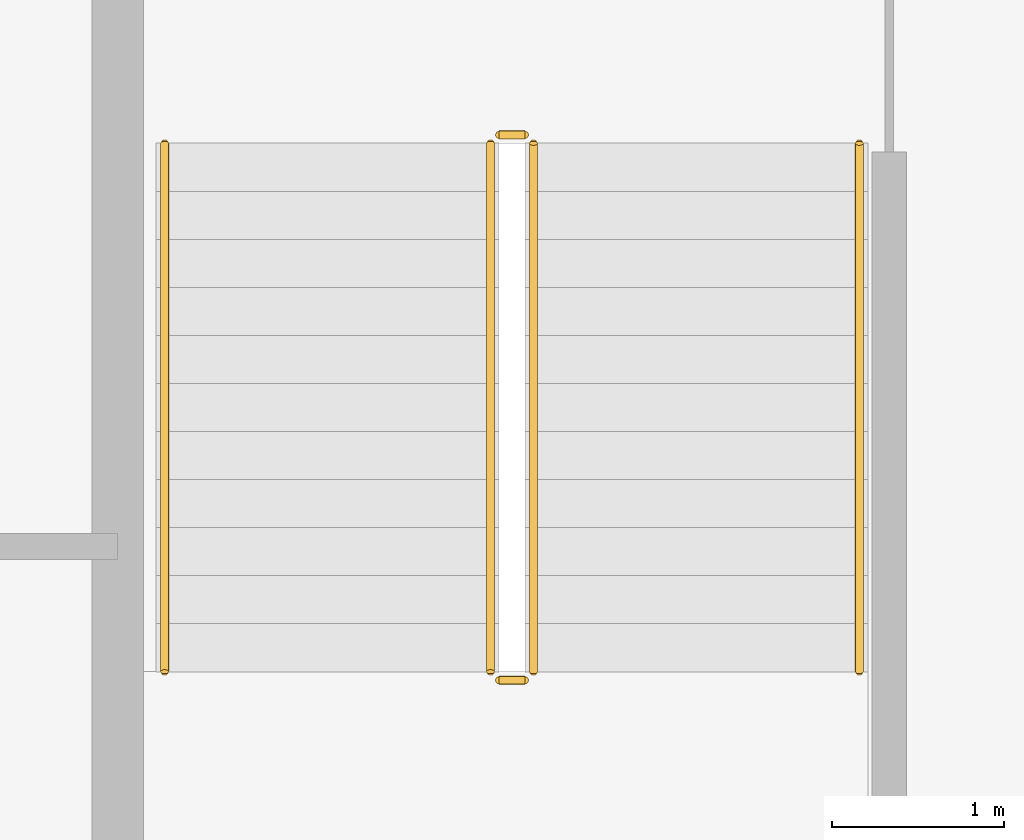
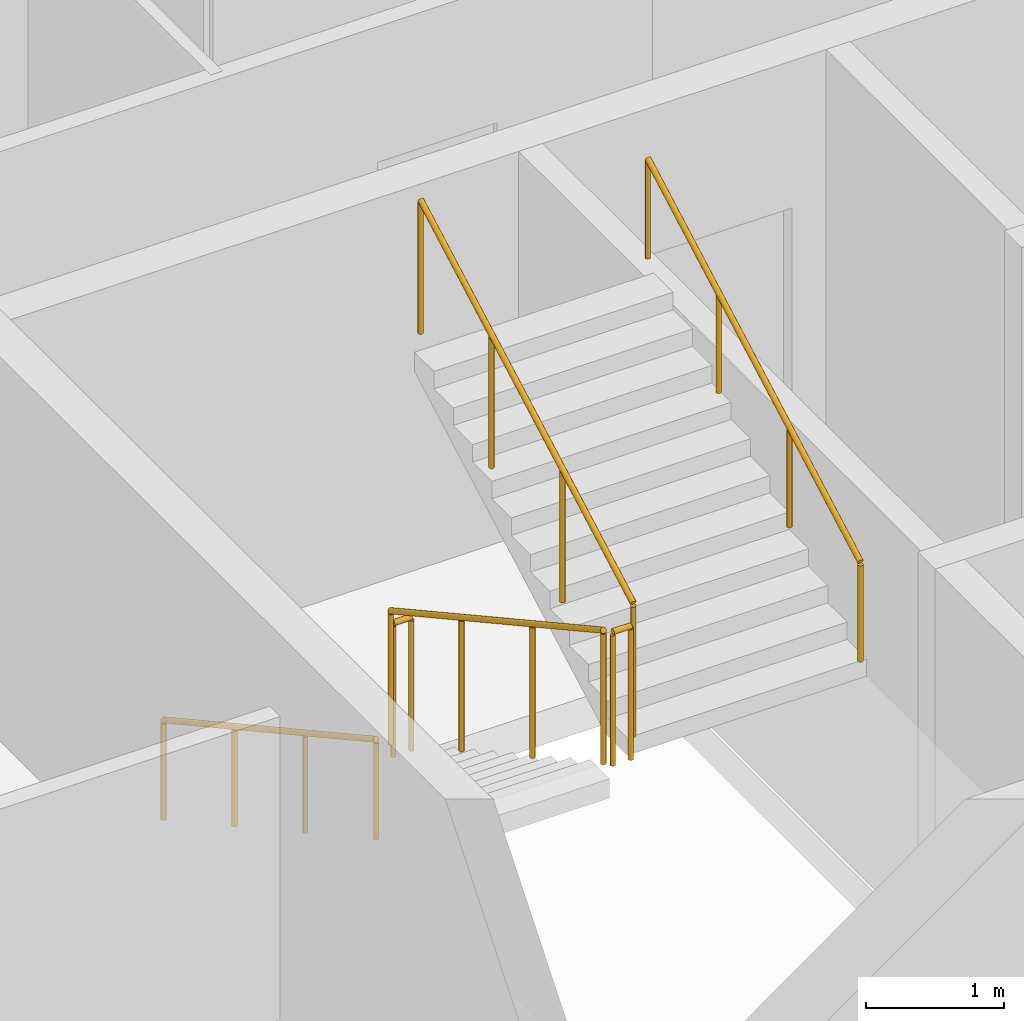
# One storey, part 12 of 14: 6 railings.
"""IFC4 building model written with IfcOpenShell, lengths in metres."""

from ifc_helpers import new_model, si_unit, direction, frame, origin, origin_2d, place, context, subcontext, project, spatial, circle, extrude, material, type_object, element, save


model = new_model("IFC4")

# Units and contexts
model_context = context("Model", 3, precision=1e-05, world=origin(), true_north=direction((0.0, 1.0)))
body_context = subcontext(model_context, "Body", "Model", "MODEL_VIEW")
ifc_project = project(units=[si_unit("LENGTHUNIT", "METRE"), si_unit("AREAUNIT", "SQUARE_METRE"), si_unit("VOLUMEUNIT", "CUBIC_METRE"), si_unit("PLANEANGLEUNIT", "RADIAN"), si_unit("MASSUNIT", "GRAM", prefix="KILO")], contexts=[model_context])

# Site, building, storey
site_placement = place(None, origin())
site = spatial("IfcSite", under=ifc_project, at=site_placement, CompositionType="ELEMENT")
building_placement = place(site_placement, origin())
building = spatial("IfcBuilding", under=site, at=building_placement, Name="Caravel Reach Hotel and Residences", CompositionType="ELEMENT")
storey_placement = place(building_placement, frame((0.0, 0.0, 161.699951171875)))
storey = spatial("IfcBuildingStorey", under=building, at=storey_placement, Name="L40", CompositionType="ELEMENT", Elevation=161.699951171875)

# Railings
ifc_material_1 = material(Name="Steel balustrade with glass infill", Category="steel")
railing_type_1 = type_object("IfcRailingType", Name="Guard 1200", PredefinedType="GUARDRAIL", material=ifc_material_1)
railing_1_placement = place(storey_placement, frame((20.175048828125, 29.35009765625, 0.154296875)))
element("IfcRailing", 1, at=railing_1_placement, inside=storey, type_object=railing_type_1, Name="L40 ST-A stair guard 1", PredefinedType="GUARDRAIL", context=body_context, shape_type="SweptSolid", body=[
    extrude(circle(Radius=0.02392578125, at=origin_2d()), frame((0.0, 0.0, 1.17578125), z_axis=(0.0, -0.876004717809, 0.482302534076), x_axis=(1.0, 0.0, 0.0)), (0.0, 0.0, 1.0), 3.51611328125),
    extrude(circle(Radius=0.02099609375, at=origin_2d()), origin(), (0.0, 0.0, 1.0), 1.15185546875),
    extrude(circle(Radius=0.02099609375, at=origin_2d()), frame((0.0, -1.026611328125, 0.565185546875)), (0.0, 0.0, 1.0), 1.15185546875),
    extrude(circle(Radius=0.02099609375, at=origin_2d()), frame((0.0, -2.053466796875, 1.130615234375)), (0.0, 0.0, 1.0), 1.15185546875),
    extrude(circle(Radius=0.02099609375, at=origin_2d()), frame((0.0, -3.080078125, 1.69580078125)), (0.0, 0.0, 1.0), 1.15185546875),
])
railing_2_placement = place(storey_placement, frame((20.22509765625, 26.219970703125, 1.85009765625)))
element("IfcRailing", 2, at=railing_2_placement, inside=storey, type_object=railing_type_1, Name="L40 ST-A stair guard 2", PredefinedType="GUARDRAIL", context=body_context, shape_type="SweptSolid", body=[
    extrude(circle(Radius=0.02392578125, at=origin_2d()), frame((0.0, 0.0, 1.17578125), z_axis=(1.0, 0.0, 0.0), x_axis=(0.0, 1.0, 0.0)), (0.0, 0.0, 1.0), 0.14990234375),
    extrude(circle(Radius=0.02099609375, at=origin_2d()), origin(), (0.0, 0.0, 1.0), 1.15185546875),
    extrude(circle(Radius=0.02099609375, at=origin_2d()), frame((0.14990234375, 0.0, 0.0)), (0.0, 0.0, 1.0), 1.15185546875),
])
railing_3_placement = place(storey_placement, frame((20.425048828125, 26.27001953125, 2.004150390625)))
element("IfcRailing", 3, at=railing_3_placement, inside=storey, type_object=railing_type_1, Name="L40 ST-A stair guard 3", PredefinedType="GUARDRAIL", context=body_context, shape_type="SweptSolid", body=[
    extrude(circle(Radius=0.02392578125, at=origin_2d()), frame((0.0, 0.0, 1.17578125), z_axis=(0.0, 0.876004717809, 0.482302534076), x_axis=(-1.0, 0.0, 0.0)), (0.0, 0.0, 1.0), 3.51611328125),
    extrude(circle(Radius=0.02099609375, at=origin_2d()), origin(), (0.0, 0.0, 1.0), 1.15185546875),
    extrude(circle(Radius=0.02099609375, at=origin_2d()), frame((0.0, 1.026611328125, 0.565185546875)), (0.0, 0.0, 1.0), 1.15185546875),
    extrude(circle(Radius=0.02099609375, at=origin_2d()), frame((0.0, 2.053466796875, 1.130615234375)), (0.0, 0.0, 1.0), 1.15185546875),
    extrude(circle(Radius=0.02099609375, at=origin_2d()), frame((0.0, 3.080078125, 1.69580078125)), (0.0, 0.0, 1.0), 1.15185546875),
])
railing_4_placement = place(storey_placement, frame((20.22509765625, 29.39990234375, 0.0)))
element("IfcRailing", 4, at=railing_4_placement, inside=storey, type_object=railing_type_1, Name="L40 ST-A stair guard 4", PredefinedType="GUARDRAIL", context=body_context, shape_type="SweptSolid", body=[
    extrude(circle(Radius=0.02392578125, at=origin_2d()), frame((0.0, 0.0, 1.17578125), z_axis=(1.0, 0.0, 0.0), x_axis=(0.0, 1.0, 0.0)), (0.0, 0.0, 1.0), 0.14990234375),
    extrude(circle(Radius=0.02099609375, at=origin_2d()), origin(), (0.0, 0.0, 1.0), 1.15185546875),
    extrude(circle(Radius=0.02099609375, at=origin_2d()), frame((0.14990234375, 0.0, 0.0)), (0.0, 0.0, 1.0), 1.15185546875),
])
ifc_material_2 = material(Name="Stainless steel handrail", Category="steel")
railing_type_2 = type_object("IfcRailingType", Name="Handrail 900", PredefinedType="HANDRAIL", material=ifc_material_2)
railing_5_placement = place(storey_placement, frame((18.27490234375, 29.35009765625, 0.154296875)))
element("IfcRailing", 5, at=railing_5_placement, inside=storey, type_object=railing_type_2, Name="L40 ST-A stair handrail 1", PredefinedType="HANDRAIL", context=body_context, shape_type="SweptSolid", body=[
    extrude(circle(Radius=0.02392578125, at=origin_2d()), frame((0.0, 0.0, 0.8759765625), z_axis=(0.0, -0.876004717809, 0.482302534076), x_axis=(1.0, 0.0, 0.0)), (0.0, 0.0, 1.0), 3.51611328125),
    extrude(circle(Radius=0.02099609375, at=origin_2d()), origin(), (0.0, 0.0, 1.0), 0.851806640625),
    extrude(circle(Radius=0.02099609375, at=origin_2d()), frame((0.0, -1.026611328125, 0.565185546875)), (0.0, 0.0, 1.0), 0.851806640625),
    extrude(circle(Radius=0.02099609375, at=origin_2d()), frame((0.0, -2.053466796875, 1.130615234375)), (0.0, 0.0, 1.0), 0.851806640625),
    extrude(circle(Radius=0.02099609375, at=origin_2d()), frame((0.0, -3.080078125, 1.69580078125)), (0.0, 0.0, 1.0), 0.851806640625),
])
railing_6_placement = place(storey_placement, frame((22.324951171875, 26.27001953125, 2.004150390625)))
element("IfcRailing", 6, at=railing_6_placement, inside=storey, type_object=railing_type_2, Name="L40 ST-A stair handrail 2", PredefinedType="HANDRAIL", context=body_context, shape_type="SweptSolid", body=[
    extrude(circle(Radius=0.02392578125, at=origin_2d()), frame((0.0, 0.0, 0.8759765625), z_axis=(0.0, 0.876004717809, 0.482302534076), x_axis=(-1.0, 0.0, 0.0)), (0.0, 0.0, 1.0), 3.51611328125),
    extrude(circle(Radius=0.02099609375, at=origin_2d()), origin(), (0.0, 0.0, 1.0), 0.851806640625),
    extrude(circle(Radius=0.02099609375, at=origin_2d()), frame((0.0, 1.026611328125, 0.565185546875)), (0.0, 0.0, 1.0), 0.851806640625),
    extrude(circle(Radius=0.02099609375, at=origin_2d()), frame((0.0, 2.053466796875, 1.130615234375)), (0.0, 0.0, 1.0), 0.851806640625),
    extrude(circle(Radius=0.02099609375, at=origin_2d()), frame((0.0, 3.080078125, 1.69580078125)), (0.0, 0.0, 1.0), 0.851806640625),
])

save(model, "model.ifc")
